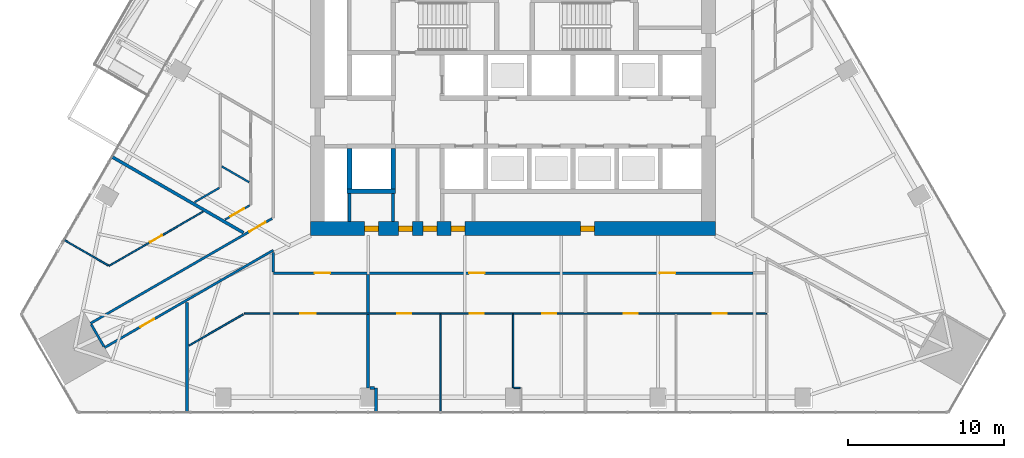
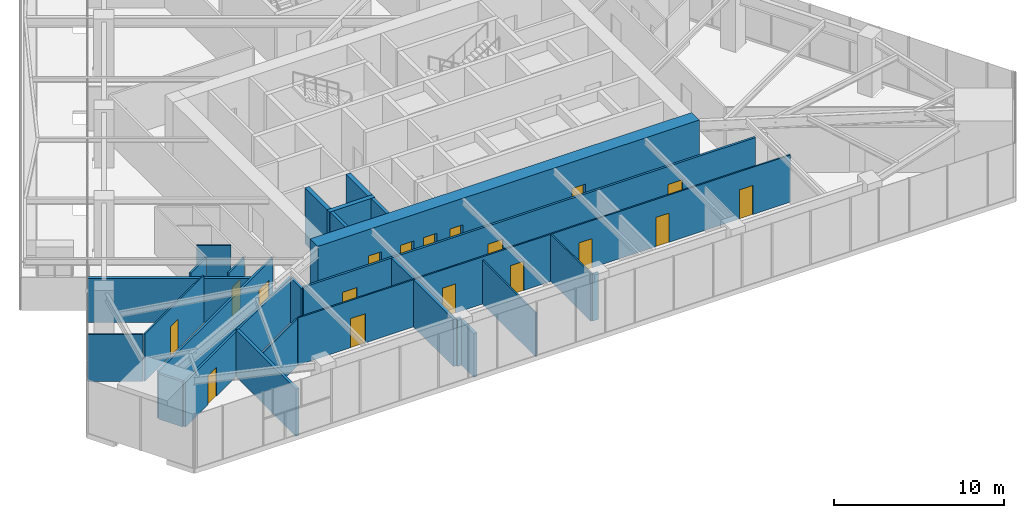
# One storey, part 18 of 26: 27 walls, 18 doors, 18 openings.
"""IFC4 building model written with IfcOpenShell, lengths in metres."""

from ifc_helpers import new_model, si_unit, direction, frame, frame_2d, origin, place, context, subcontext, project, spatial, rectangle, extrude, material, layer, layer_set, type_object, element, fill, save


model = new_model("IFC4")

# Units and contexts
model_context = context("Model", 3, precision=1e-05, world=origin(), true_north=direction((0.0, 1.0)))
body_context = subcontext(model_context, "Body", "Model", "MODEL_VIEW")
ifc_project = project(units=[si_unit("LENGTHUNIT", "METRE"), si_unit("AREAUNIT", "SQUARE_METRE"), si_unit("VOLUMEUNIT", "CUBIC_METRE"), si_unit("PLANEANGLEUNIT", "RADIAN"), si_unit("MASSUNIT", "GRAM", prefix="KILO")], contexts=[model_context])

# Site, building, storey
site_placement = place(None, origin())
site = spatial("IfcSite", under=ifc_project, at=site_placement, CompositionType="ELEMENT")
building_placement = place(site_placement, origin())
building = spatial("IfcBuilding", under=site, at=building_placement, Name="Firuza Gate Tower and Library", CompositionType="ELEMENT")
storey_placement = place(building_placement, frame((0.0, 0.0, 115.60009765625)))
storey = spatial("IfcBuildingStorey", under=building, at=storey_placement, Name="L26", CompositionType="ELEMENT", Elevation=115.60009765625)

# Walls
ifc_material_1 = material(Name="Plasterboard on steel studs", Category="steel")
ifc_layer_1 = layer(ifc_material_1, 0.199951171875)
ifc_layer_set_1 = layer_set([ifc_layer_1], Name="Core partition 200 EI 120")
wall_type_1 = type_object("IfcWallType", Name="Core partition 200 EI 120", PredefinedType="PARTITIONING", material=ifc_layer_set_1)
for number, where, z_axis, x_axis, name in (
    (1, (64.5, 66.89990234375, 0.0), (0.0, 0.0, 1.0), (0.0, 1.0, 0.0), "Core partition L26 5"),
    (2, (67.300048828125, 66.89990234375, 0.0), (0.0, 0.0, 1.0), (0.0, 1.0, 0.0), "Core partition L26 7"),
):
    element("IfcWall", number, at=place(storey_placement, frame(where, z_axis=z_axis, x_axis=x_axis)), inside=storey, type_object=wall_type_1, Name=name, PredefinedType="PARTITIONING", context=body_context, shape_type="SweptSolid", body=[
        extrude(rectangle(XDim=1.800048828125, YDim=0.199951171875, at=frame_2d((0.89990234375, 0.0))), origin(), (0.0, 0.0, 1.0), 4.0),
    ])
ifc_material_2 = material(Name="Concrete C80/95", Category="concrete")
ifc_layer_2 = layer(ifc_material_2, 0.300048828125)
ifc_layer_set_2 = layer_set([ifc_layer_2], Name="Core wall 300 C80/95")
wall_type_2 = type_object("IfcWallType", Name="Core wall 300 C80/95", PredefinedType="SHEAR", material=ifc_layer_set_2)
wall_1_placement = place(storey_placement, frame((64.35009765625, 68.85009765625, 0.0), z_axis=(0.0, 0.0, 1.0), x_axis=(1.0, 0.0, 0.0)))
element("IfcWall", 3, at=wall_1_placement, inside=storey, type_object=wall_type_2, Name="Core wall L26 5", PredefinedType="SHEAR", context=body_context, shape_type="SweptSolid", body=[
    extrude(rectangle(XDim=3.099853515625, YDim=0.300048828125, at=frame_2d((1.5498046875, 0.0))), origin(), (0.0, 0.0, 1.0), 4.0),
])
for number, where, z_axis, x_axis, name in (
    (4, (64.5, 69.0, 0.0), (0.0, 0.0, 1.0), (0.0, 1.0, 0.0), "Core wall L26 11"),
    (5, (67.300048828125, 69.0, 0.0), (0.0, 0.0, 1.0), (0.0, 1.0, 0.0), "Core wall L26 13"),
):
    element("IfcWall", number, at=place(storey_placement, frame(where, z_axis=z_axis, x_axis=x_axis)), inside=storey, type_object=wall_type_2, Name=name, PredefinedType="SHEAR", context=body_context, shape_type="SweptSolid", body=[
        extrude(rectangle(XDim=2.60009765625, YDim=0.300048828125, at=frame_2d((1.300048828125, 0.0))), origin(), (0.0, 0.0, 1.0), 4.0),
    ])

# Wall, openings, doors
ifc_material_3 = material(Name="Concrete C80/95", Category="concrete")
ifc_layer_3 = layer(ifc_material_3, 0.89990234375)
ifc_layer_set_3 = layer_set([ifc_layer_3], Name="Core wall 900 C80/95")
wall_type_3 = type_object("IfcWallType", Name="Core wall 900 C80/95", PredefinedType="SHEAR", material=ifc_layer_set_3)
wall_2_placement = place(storey_placement, frame((62.0, 66.449951171875, 0.0), z_axis=(0.0, 0.0, 1.0), x_axis=(1.0, 0.0, 0.0)))
wall_2 = element("IfcWall", 6, at=wall_2_placement, inside=storey, type_object=wall_type_3, Name="Core wall L26 1", PredefinedType="SHEAR", context=body_context, shape_type="SweptSolid", body=[
    extrude(rectangle(XDim=26.0, YDim=0.89990234375, at=frame_2d((13.0, 0.0))), origin(), (0.0, 0.0, 1.0), 4.0),
])
opening_1_placement = place(wall_2_placement, frame((3.449951171875, 0.0, 0.0)))
opening_1 = element("IfcOpeningElement", 7, at=opening_1_placement, cuts=wall_2, Name="Opening L26-K24", PredefinedType="OPENING", context=body_context, shape_type="SweptSolid", body=[
    extrude(rectangle(XDim=0.89990234375, YDim=2.10009765625, at=frame_2d((0.449951171875, 1.050048828125))), frame((0.0, 0.4599609375, 0.0), z_axis=(0.0, -1.0, 0.0), x_axis=(1.0, 0.0, 0.0)), (0.0, 0.0, 1.0), 0.919921875),
])
opening_2_placement = place(wall_2_placement, frame((5.637451171875, 0.0, 0.0)))
opening_2 = element("IfcOpeningElement", 8, at=opening_2_placement, cuts=wall_2, Name="Opening L26-K25", PredefinedType="OPENING", context=body_context, shape_type="SweptSolid", body=[
    extrude(rectangle(XDim=0.89990234375, YDim=2.10009765625, at=frame_2d((0.449951171875, 1.050048828125))), frame((0.0, 0.4599609375, 0.0), z_axis=(0.0, -1.0, 0.0), x_axis=(1.0, 0.0, 0.0)), (0.0, 0.0, 1.0), 0.919921875),
])
opening_3_placement = place(wall_2_placement, frame((7.21240234375, 0.0, 0.0)))
opening_3 = element("IfcOpeningElement", 9, at=opening_3_placement, cuts=wall_2, Name="Opening L26-K26", PredefinedType="OPENING", context=body_context, shape_type="SweptSolid", body=[
    extrude(rectangle(XDim=0.89990234375, YDim=2.10009765625, at=frame_2d((0.449951171875, 1.050048828125))), frame((0.0, 0.4599609375, 0.0), z_axis=(0.0, -1.0, 0.0), x_axis=(1.0, 0.0, 0.0)), (0.0, 0.0, 1.0), 0.919921875),
])
opening_4_placement = place(wall_2_placement, frame((8.9990234375, 0.0, 0.0)))
opening_4 = element("IfcOpeningElement", 10, at=opening_4_placement, cuts=wall_2, Name="Opening L26-K27", PredefinedType="OPENING", context=body_context, shape_type="SweptSolid", body=[
    extrude(rectangle(XDim=0.89990234375, YDim=2.10009765625, at=frame_2d((0.449951171875, 1.050048828125))), frame((0.0, 0.4599609375, 0.0), z_axis=(0.0, -1.0, 0.0), x_axis=(1.0, 0.0, 0.0)), (0.0, 0.0, 1.0), 0.919921875),
])
opening_5_placement = place(wall_2_placement, frame((17.323974609375, 0.0, 0.0)))
opening_5 = element("IfcOpeningElement", 11, at=opening_5_placement, cuts=wall_2, Name="Opening L26-K28", PredefinedType="OPENING", context=body_context, shape_type="SweptSolid", body=[
    extrude(rectangle(XDim=0.89990234375, YDim=2.10009765625, at=frame_2d((0.449951171875, 1.050048828125))), frame((0.0, 0.4599609375, 0.0), z_axis=(0.0, -1.0, 0.0), x_axis=(1.0, 0.0, 0.0)), (0.0, 0.0, 1.0), 0.919921875),
])
ifc_material_4 = material(Name="Steel", Category="steel")
door_type_1 = type_object("IfcDoorType", Name="Fire door 900x2100 FD30S", OperationType="NOTDEFINED", PredefinedType="DOOR", material=ifc_material_4)
door_1_placement = place(opening_1_placement, origin())
door_1 = element("IfcDoor", 12, at=door_1_placement, inside=storey, type_object=door_type_1, Name="Door L26-K24", OperationType="SINGLE_SWING_LEFT", OverallHeight=2.10009765625, OverallWidth=0.89990234375, PredefinedType="DOOR", context=body_context, shape_type="SweptSolid", body=[
    extrude(rectangle(XDim=0.89990234375, YDim=2.10009765625, at=frame_2d((0.449951171875, 1.050048828125))), frame((0.0, 0.169921875, 0.0), z_axis=(0.0, -1.0, 0.0), x_axis=(1.0, 0.0, 0.0)), (0.0, 0.0, 1.0), 0.33984375),
])
fill(opening_1, door_1)
door_2_placement = place(opening_2_placement, origin())
door_2 = element("IfcDoor", 13, at=door_2_placement, inside=storey, type_object=door_type_1, Name="Door L26-K25", OperationType="SINGLE_SWING_RIGHT", OverallHeight=2.10009765625, OverallWidth=0.89990234375, PredefinedType="DOOR", context=body_context, shape_type="SweptSolid", body=[
    extrude(rectangle(XDim=0.89990234375, YDim=2.10009765625, at=frame_2d((0.449951171875, 1.050048828125))), frame((0.0, 0.169921875, 0.0), z_axis=(0.0, -1.0, 0.0), x_axis=(1.0, 0.0, 0.0)), (0.0, 0.0, 1.0), 0.33984375),
])
fill(opening_2, door_2)
door_3_placement = place(opening_3_placement, origin())
door_3 = element("IfcDoor", 14, at=door_3_placement, inside=storey, type_object=door_type_1, Name="Door L26-K26", OperationType="SINGLE_SWING_LEFT", OverallHeight=2.10009765625, OverallWidth=0.89990234375, PredefinedType="DOOR", context=body_context, shape_type="SweptSolid", body=[
    extrude(rectangle(XDim=0.89990234375, YDim=2.10009765625, at=frame_2d((0.449951171875, 1.050048828125))), frame((0.0, 0.169921875, 0.0), z_axis=(0.0, -1.0, 0.0), x_axis=(1.0, 0.0, 0.0)), (0.0, 0.0, 1.0), 0.33984375),
])
fill(opening_3, door_3)
door_4_placement = place(opening_4_placement, origin())
door_4 = element("IfcDoor", 15, at=door_4_placement, inside=storey, type_object=door_type_1, Name="Door L26-K27", OperationType="SINGLE_SWING_RIGHT", OverallHeight=2.10009765625, OverallWidth=0.89990234375, PredefinedType="DOOR", context=body_context, shape_type="SweptSolid", body=[
    extrude(rectangle(XDim=0.89990234375, YDim=2.10009765625, at=frame_2d((0.449951171875, 1.050048828125))), frame((0.0, 0.169921875, 0.0), z_axis=(0.0, -1.0, 0.0), x_axis=(1.0, 0.0, 0.0)), (0.0, 0.0, 1.0), 0.33984375),
])
fill(opening_4, door_4)
door_5_placement = place(opening_5_placement, origin())
door_5 = element("IfcDoor", 16, at=door_5_placement, inside=storey, type_object=door_type_1, Name="Door L26-K28", OperationType="SINGLE_SWING_LEFT", OverallHeight=2.10009765625, OverallWidth=0.89990234375, PredefinedType="DOOR", context=body_context, shape_type="SweptSolid", body=[
    extrude(rectangle(XDim=0.89990234375, YDim=2.10009765625, at=frame_2d((0.449951171875, 1.050048828125))), frame((0.0, 0.169921875, 0.0), z_axis=(0.0, -1.0, 0.0), x_axis=(1.0, 0.0, 0.0)), (0.0, 0.0, 1.0), 0.33984375),
])
fill(opening_5, door_5)

ifc_material_5 = material(Name="Gypsum board partition")
ifc_layer_4 = layer(ifc_material_5, 0.14990234375)
ifc_layer_set_4 = layer_set([ifc_layer_4], Name="Corridor wall 150 double board on steel studs")
wall_type_4 = type_object("IfcWallType", Name="Corridor wall 150 double board on steel studs", PredefinedType="PARTITIONING", material=ifc_layer_set_4)
wall_3_placement = place(storey_placement, frame((90.3994140625, 63.60009765625, 0.0), z_axis=(0.0, 0.0, 1.0), x_axis=(-1.0, 0.0, 0.0)))
wall_3 = element("IfcWall", 17, at=wall_3_placement, inside=storey, type_object=wall_type_4, Name="f:L26:w003", PredefinedType="PARTITIONING", context=body_context, shape_type="SweptSolid", body=[
    extrude(rectangle(XDim=30.79931640625, YDim=0.14990234375, at=frame_2d((15.399658203125, 0.0))), origin(), (0.0, 0.0, 1.0), 3.39990234375),
])
opening_6_placement = place(wall_3_placement, frame((4.97509765625, 0.0, 0.0)))
opening_6 = element("IfcOpeningElement", 18, at=opening_6_placement, cuts=wall_3, Name="Opening L26-07", PredefinedType="OPENING", context=body_context, shape_type="SweptSolid", body=[
    extrude(rectangle(XDim=1.0, YDim=2.10009765625, at=frame_2d((0.5, 1.050048828125))), frame((0.0, 0.0849609375, 0.0), z_axis=(0.0, -1.0, 0.0), x_axis=(1.0, 0.0, 0.0)), (0.0, 0.0, 1.0), 0.169921875),
])
opening_7_placement = place(wall_3_placement, frame((17.225830078125, 0.0, 0.0)))
opening_7 = element("IfcOpeningElement", 19, at=opening_7_placement, cuts=wall_3, Name="Opening L26-08", PredefinedType="OPENING", context=body_context, shape_type="SweptSolid", body=[
    extrude(rectangle(XDim=1.0, YDim=2.10009765625, at=frame_2d((0.5, 1.050048828125))), frame((0.0, 0.0849609375, 0.0), z_axis=(0.0, -1.0, 0.0), x_axis=(1.0, 0.0, 0.0)), (0.0, 0.0, 1.0), 0.169921875),
])
opening_8_placement = place(wall_3_placement, frame((27.150634765625, 0.0, 0.0)))
opening_8 = element("IfcOpeningElement", 20, at=opening_8_placement, cuts=wall_3, Name="Opening L26-09", PredefinedType="OPENING", context=body_context, shape_type="SweptSolid", body=[
    extrude(rectangle(XDim=1.0, YDim=2.10009765625, at=frame_2d((0.5, 1.050048828125))), frame((0.0, 0.0849609375, 0.0), z_axis=(0.0, -1.0, 0.0), x_axis=(1.0, 0.0, 0.0)), (0.0, 0.0, 1.0), 0.169921875),
])
ifc_material_6 = material(Name="Steel door and timber leaf", Category="steel")
door_type_2 = type_object("IfcDoorType", Name="Fire door 1000 x 2100 steel frame, timber leaf", OperationType="NOTDEFINED", PredefinedType="DOOR", material=ifc_material_6)
door_6_placement = place(opening_6_placement, origin())
door_6 = element("IfcDoor", 21, at=door_6_placement, inside=storey, type_object=door_type_2, Name="f:L26:d007", OperationType="SINGLE_SWING_RIGHT", OverallHeight=2.10009765625, OverallWidth=1.0, PredefinedType="DOOR", context=body_context, shape_type="SweptSolid", body=[
    extrude(rectangle(XDim=1.0, YDim=2.10009765625, at=frame_2d((0.5, 1.050048828125))), frame((0.0, 0.02490234375, 0.0), z_axis=(0.0, -1.0, 0.0), x_axis=(1.0, 0.0, 0.0)), (0.0, 0.0, 1.0), 0.050048828125),
])
fill(opening_6, door_6)
door_7_placement = place(opening_7_placement, origin())
door_7 = element("IfcDoor", 22, at=door_7_placement, inside=storey, type_object=door_type_2, Name="f:L26:d008", OperationType="SINGLE_SWING_RIGHT", OverallHeight=2.10009765625, OverallWidth=1.0, PredefinedType="DOOR", context=body_context, shape_type="SweptSolid", body=[
    extrude(rectangle(XDim=1.0, YDim=2.10009765625, at=frame_2d((0.5, 1.050048828125))), frame((0.0, 0.02490234375, 0.0), z_axis=(0.0, -1.0, 0.0), x_axis=(1.0, 0.0, 0.0)), (0.0, 0.0, 1.0), 0.050048828125),
])
fill(opening_7, door_7)
door_8_placement = place(opening_8_placement, origin())
door_8 = element("IfcDoor", 23, at=door_8_placement, inside=storey, type_object=door_type_2, Name="f:L26:d009", OperationType="SINGLE_SWING_LEFT", OverallHeight=2.10009765625, OverallWidth=1.0, PredefinedType="DOOR", context=body_context, shape_type="SweptSolid", body=[
    extrude(rectangle(XDim=1.0, YDim=2.10009765625, at=frame_2d((0.5, 1.050048828125))), frame((0.0, 0.02490234375, 0.0), z_axis=(0.0, -1.0, 0.0), x_axis=(1.0, 0.0, 0.0)), (0.0, 0.0, 1.0), 0.050048828125),
])
fill(opening_8, door_8)

# Wall, opening, door
wall_4_placement = place(storey_placement, frame((48.766357421875, 58.81494140625, 0.0), z_axis=(0.0, 0.0, 1.0), x_axis=(0.866028284225, 0.499995010897, 0.0)))
wall_4 = element("IfcWall", 24, at=wall_4_placement, inside=storey, type_object=wall_type_4, Name="f:L26:w014", PredefinedType="PARTITIONING", context=body_context, shape_type="SweptSolid", body=[
    extrude(rectangle(XDim=12.509521484375, YDim=0.14990234375, at=frame_2d((6.2548828125, 0.0))), origin(), (0.0, 0.0, 1.0), 3.246826171875),
])
opening_9_placement = place(wall_4_placement, frame((2.659912109375, 0.0, 0.0)))
opening_9 = element("IfcOpeningElement", 25, at=opening_9_placement, cuts=wall_4, Name="Opening L26-15", PredefinedType="OPENING", context=body_context, shape_type="SweptSolid", body=[
    extrude(rectangle(XDim=1.0, YDim=2.10009765625, at=frame_2d((0.5, 1.050048828125))), frame((0.0, 0.0849609375, 0.0), z_axis=(0.0, -1.0, 0.0), x_axis=(1.0, 0.0, 0.0)), (0.0, 0.0, 1.0), 0.169921875),
])
door_9_placement = place(opening_9_placement, origin())
door_9 = element("IfcDoor", 26, at=door_9_placement, inside=storey, type_object=door_type_2, Name="f:L26:d015", OperationType="SINGLE_SWING_RIGHT", OverallHeight=2.10009765625, OverallWidth=1.0, PredefinedType="DOOR", context=body_context, shape_type="SweptSolid", body=[
    extrude(rectangle(XDim=1.0, YDim=2.10009765625, at=frame_2d((0.5, 1.050048828125))), frame((0.0, 0.02490234375, 0.0), z_axis=(0.0, -1.0, 0.0), x_axis=(1.0, 0.0, 0.0)), (0.0, 0.0, 1.0), 0.050048828125),
])
fill(opening_9, door_9)

wall_5_placement = place(storey_placement, frame((47.8662109375, 60.373779296875, 0.0), z_axis=(0.0, 0.0, 1.0), x_axis=(0.866031566243, 0.499989326157, 0.0)))
wall_5 = element("IfcWall", 27, at=wall_5_placement, inside=storey, type_object=wall_type_4, Name="f:L26:w017", PredefinedType="PARTITIONING", context=body_context, shape_type="SweptSolid", body=[
    extrude(rectangle(XDim=13.462158203125, YDim=0.14990234375, at=frame_2d((6.73095703125, 0.0))), origin(), (0.0, 0.0, 1.0), 3.39990234375),
])
opening_10_placement = place(wall_5_placement, frame((11.77392578125, 0.0, 0.0)))
opening_10 = element("IfcOpeningElement", 28, at=opening_10_placement, cuts=wall_5, Name="Opening L26-16", PredefinedType="OPENING", context=body_context, shape_type="SweptSolid", body=[
    extrude(rectangle(XDim=1.199951171875, YDim=2.10009765625, at=frame_2d((0.60009765625, 1.050048828125))), frame((0.0, 0.0849609375, 0.0), z_axis=(0.0, -1.0, 0.0), x_axis=(1.0, 0.0, 0.0)), (0.0, 0.0, 1.0), 0.169921875),
])
ifc_material_7 = material(Name="Steel door and timber leaf", Category="steel")
door_type_3 = type_object("IfcDoorType", Name="Fire door 1200 x 2100 steel frame, double leaf", OperationType="NOTDEFINED", PredefinedType="DOOR", material=ifc_material_7)
door_10_placement = place(opening_10_placement, origin())
door_10 = element("IfcDoor", 29, at=door_10_placement, inside=storey, type_object=door_type_3, Name="f:L26:d016", OperationType="DOUBLE_DOOR_SINGLE_SWING", OverallHeight=2.10009765625, OverallWidth=1.199951171875, PredefinedType="DOOR", context=body_context, shape_type="SweptSolid", body=[
    extrude(rectangle(XDim=1.199951171875, YDim=2.10009765625, at=frame_2d((0.60009765625, 1.050048828125))), frame((0.0, 0.02490234375, 0.0), z_axis=(0.0, -1.0, 0.0), x_axis=(1.0, 0.0, 0.0)), (0.0, 0.0, 1.0), 0.050048828125),
])
fill(opening_10, door_10)

# Walls
wall_6_placement = place(storey_placement, frame((59.60009765625, 63.675048828125, 0.0), z_axis=(0.0, 0.0, 1.0), x_axis=(0.0, 1.0, 0.0)))
element("IfcWall", 30, at=wall_6_placement, inside=storey, type_object=wall_type_4, Name="f:L26:w042", PredefinedType="PARTITIONING", context=body_context, shape_type="SweptSolid", body=[
    extrude(rectangle(XDim=1.2578125, YDim=0.14990234375, at=frame_2d((0.62890625, 0.0))), origin(), (0.0, 0.0, 1.0), 3.246826171875),
])
wall_7_placement = place(storey_placement, frame((48.728271484375, 58.880126953125, 0.0), z_axis=(0.0, 0.0, 1.0), x_axis=(-0.500008692254, 0.866020385251, 0.0)))
element("IfcWall", 31, at=wall_7_placement, inside=storey, type_object=wall_type_4, Name="f:L26:w050", PredefinedType="PARTITIONING", context=body_context, shape_type="SweptSolid", body=[
    extrude(rectangle(XDim=1.64892578125, YDim=0.14990234375, at=frame_2d((0.824462890625, 0.0))), origin(), (0.0, 0.0, 1.0), 3.246826171875),
])
ifc_material_8 = material(Name="Gypsum board partition")
ifc_layer_5 = layer(ifc_material_8, 0.199951171875)
ifc_layer_set_5 = layer_set([ifc_layer_5], Name="Demising wall 200 acoustic double stud")
wall_type_5 = type_object("IfcWallType", Name="Demising wall 200 acoustic double stud", PredefinedType="PARTITIONING", material=ifc_layer_set_5)
wall_8_placement = place(storey_placement, frame((65.804931640625, 56.22607421875, 0.0), z_axis=(0.0, 0.0, 1.0), x_axis=(1.0, 0.0, 0.0)))
element("IfcWall", 32, at=wall_8_placement, inside=storey, type_object=wall_type_5, Name="f:L26:w000", PredefinedType="PARTITIONING", context=body_context, shape_type="SweptSolid", body=[
    extrude(rectangle(XDim=0.2900390625, YDim=0.199951171875, at=frame_2d((0.14501953125, 0.0))), origin(), (0.0, 0.0, 1.0), 3.39990234375),
])
wall_9_placement = place(storey_placement, frame((66.195068359375, 54.666259765625, 0.0), z_axis=(0.0, 0.0, 1.0), x_axis=(0.0, 1.0, 0.0)))
element("IfcWall", 33, at=wall_9_placement, inside=storey, type_object=wall_type_5, Name="f:L26:w040", PredefinedType="PARTITIONING", context=body_context, shape_type="SweptSolid", body=[
    extrude(rectangle(XDim=1.56005859375, YDim=0.199951171875, at=frame_2d((0.780029296875, 0.0))), origin(), (0.0, 0.0, 1.0), 3.164794921875),
])
wall_10_placement = place(storey_placement, frame((65.695068359375, 56.226318359375, 0.0), z_axis=(0.0, 0.0, 1.0), x_axis=(0.0, 1.0, 0.0)))
element("IfcWall", 34, at=wall_10_placement, inside=storey, type_object=wall_type_5, Name="f:L26:w041", PredefinedType="PARTITIONING", context=body_context, shape_type="SweptSolid", body=[
    extrude(rectangle(XDim=4.7236328125, YDim=0.199951171875, at=frame_2d((2.36181640625, 0.0))), origin(), (0.0, 0.0, 1.0), 3.39990234375),
])
wall_11_placement = place(storey_placement, frame((54.06396484375, 54.666259765625, 0.0), z_axis=(0.0, 0.0, 1.0), x_axis=(0.0, 1.0, 0.0)))
element("IfcWall", 35, at=wall_11_placement, inside=storey, type_object=wall_type_5, Name="f:L26:w046", PredefinedType="PARTITIONING", context=body_context, shape_type="SweptSolid", body=[
    extrude(rectangle(XDim=7.060302734375, YDim=0.199951171875, at=frame_2d((3.5302734375, 0.0))), origin(), (0.0, 0.0, 1.0), 3.39990234375),
])
wall_12_placement = place(storey_placement, frame((57.689208984375, 66.19140625, 0.0), z_axis=(0.0, 0.0, 1.0), x_axis=(-0.866022484486, 0.500005056339, 0.0)))
element("IfcWall", 36, at=wall_12_placement, inside=storey, type_object=wall_type_5, Name="f:L26:w059", PredefinedType="PARTITIONING", context=body_context, shape_type="SweptSolid", body=[
    extrude(rectangle(XDim=9.74658203125, YDim=0.199951171875, at=frame_2d((4.873291015625, 0.0))), origin(), (0.0, 0.0, 1.0), 3.164794921875),
])
wall_13_placement = place(storey_placement, frame((65.695068359375, 61.050048828125, 0.0), z_axis=(0.0, 0.0, 1.0), x_axis=(0.0, 1.0, 0.0)))
element("IfcWall", 37, at=wall_13_placement, inside=storey, type_object=wall_type_5, Name="f:L26:w068", PredefinedType="PARTITIONING", context=body_context, shape_type="SweptSolid", body=[
    extrude(rectangle(XDim=2.474853515625, YDim=0.199951171875, at=frame_2d((1.2373046875, 0.0))), origin(), (0.0, 0.0, 1.0), 3.39990234375),
])
ifc_material_9 = material(Name="Gypsum board partition")
ifc_layer_6 = layer(ifc_material_9, 0.10009765625)
ifc_layer_set_6 = layer_set([ifc_layer_6], Name="Partition 100 gypsum board on steel studs")
wall_type_6 = type_object("IfcWallType", Name="Partition 100 gypsum board on steel studs", PredefinedType="PARTITIONING", material=ifc_layer_set_6)
wall_14_placement = place(storey_placement, frame((75.050048828125, 56.22607421875, 0.0), z_axis=(0.0, 0.0, 1.0), x_axis=(1.0, 0.0, 0.0)))
element("IfcWall", 38, at=wall_14_placement, inside=storey, type_object=wall_type_6, Name="f:L26:w001", PredefinedType="PARTITIONING", context=body_context, shape_type="SweptSolid", body=[
    extrude(rectangle(XDim=0.39990234375, YDim=0.10009765625, at=frame_2d((0.199951171875, 0.0))), origin(), (0.0, 0.0, 1.0), 3.39990234375),
])

# Wall, openings, doors
wall_15_placement = place(storey_placement, frame((57.751220703125, 61.0, 0.0), z_axis=(0.0, 0.0, 1.0), x_axis=(1.0, 0.0, 0.0)))
wall_15 = element("IfcWall", 39, at=wall_15_placement, inside=storey, type_object=wall_type_6, Name="f:L26:w002", PredefinedType="PARTITIONING", context=body_context, shape_type="SweptSolid", body=[
    extrude(rectangle(XDim=33.53271484375, YDim=0.10009765625, at=frame_2d((16.766357421875, 0.0))), origin(), (0.0, 0.0, 1.0), 3.39990234375),
])
opening_11_placement = place(wall_15_placement, frame((3.57177734375, 0.0, 0.0)))
opening_11 = element("IfcOpeningElement", 40, at=opening_11_placement, cuts=wall_15, Name="Opening L26-01", PredefinedType="OPENING", context=body_context, shape_type="SweptSolid", body=[
    extrude(rectangle(XDim=1.0, YDim=2.10009765625, at=frame_2d((0.5, 1.050048828125))), frame((0.0, 0.06005859375, 0.0), z_axis=(0.0, -1.0, 0.0), x_axis=(1.0, 0.0, 0.0)), (0.0, 0.0, 1.0), 0.1201171875),
])
opening_12_placement = place(wall_15_placement, frame((9.821533203125, 0.0, 0.0)))
opening_12 = element("IfcOpeningElement", 41, at=opening_12_placement, cuts=wall_15, Name="Opening L26-02", PredefinedType="OPENING", context=body_context, shape_type="SweptSolid", body=[
    extrude(rectangle(XDim=0.89990234375, YDim=2.10009765625, at=frame_2d((0.449951171875, 1.050048828125))), frame((0.0, 0.06005859375, 0.0), z_axis=(0.0, -1.0, 0.0), x_axis=(1.0, 0.0, 0.0)), (0.0, 0.0, 1.0), 0.1201171875),
])
opening_13_placement = place(wall_15_placement, frame((14.472412109375, 0.0, 0.0)))
opening_13 = element("IfcOpeningElement", 42, at=opening_13_placement, cuts=wall_15, Name="Opening L26-03", PredefinedType="OPENING", context=body_context, shape_type="SweptSolid", body=[
    extrude(rectangle(XDim=0.89990234375, YDim=2.10009765625, at=frame_2d((0.449951171875, 1.050048828125))), frame((0.0, 0.06005859375, 0.0), z_axis=(0.0, -1.0, 0.0), x_axis=(1.0, 0.0, 0.0)), (0.0, 0.0, 1.0), 0.1201171875),
])
opening_14_placement = place(wall_15_placement, frame((19.12353515625, 0.0, 0.0)))
opening_14 = element("IfcOpeningElement", 43, at=opening_14_placement, cuts=wall_15, Name="Opening L26-04", PredefinedType="OPENING", context=body_context, shape_type="SweptSolid", body=[
    extrude(rectangle(XDim=0.89990234375, YDim=2.10009765625, at=frame_2d((0.449951171875, 1.050048828125))), frame((0.0, 0.06005859375, 0.0), z_axis=(0.0, -1.0, 0.0), x_axis=(1.0, 0.0, 0.0)), (0.0, 0.0, 1.0), 0.1201171875),
])
opening_15_placement = place(wall_15_placement, frame((24.360595703125, 0.0, 0.0)))
opening_15 = element("IfcOpeningElement", 44, at=opening_15_placement, cuts=wall_15, Name="Opening L26-05", PredefinedType="OPENING", context=body_context, shape_type="SweptSolid", body=[
    extrude(rectangle(XDim=0.89990234375, YDim=2.10009765625, at=frame_2d((0.449951171875, 1.050048828125))), frame((0.0, 0.06005859375, 0.0), z_axis=(0.0, -1.0, 0.0), x_axis=(1.0, 0.0, 0.0)), (0.0, 0.0, 1.0), 0.1201171875),
])
opening_16_placement = place(wall_15_placement, frame((30.0732421875, 0.0, 0.0)))
opening_16 = element("IfcOpeningElement", 45, at=opening_16_placement, cuts=wall_15, Name="Opening L26-06", PredefinedType="OPENING", context=body_context, shape_type="SweptSolid", body=[
    extrude(rectangle(XDim=0.89990234375, YDim=2.10009765625, at=frame_2d((0.449951171875, 1.050048828125))), frame((0.0, 0.06005859375, 0.0), z_axis=(0.0, -1.0, 0.0), x_axis=(1.0, 0.0, 0.0)), (0.0, 0.0, 1.0), 0.1201171875),
])
ifc_material_10 = material(Name="Timber door", Category="wood")
door_type_4 = type_object("IfcDoorType", Name="Door 1000 x 2100 timber leaf", OperationType="NOTDEFINED", PredefinedType="DOOR", material=ifc_material_10)
door_11_placement = place(opening_11_placement, origin())
door_11 = element("IfcDoor", 46, at=door_11_placement, inside=storey, type_object=door_type_4, Name="f:L26:d001", OperationType="SINGLE_SWING_LEFT", OverallHeight=2.10009765625, OverallWidth=1.0, PredefinedType="DOOR", context=body_context, shape_type="SweptSolid", body=[
    extrude(rectangle(XDim=1.0, YDim=2.10009765625, at=frame_2d((0.5, 1.050048828125))), frame((0.0, 0.02490234375, 0.0), z_axis=(0.0, -1.0, 0.0), x_axis=(1.0, 0.0, 0.0)), (0.0, 0.0, 1.0), 0.050048828125),
])
fill(opening_11, door_11)
ifc_material_11 = material(Name="Timber door", Category="wood")
door_type_5 = type_object("IfcDoorType", Name="Door 900 x 2100 timber leaf", OperationType="NOTDEFINED", PredefinedType="DOOR", material=ifc_material_11)
door_12_placement = place(opening_12_placement, origin())
door_12 = element("IfcDoor", 47, at=door_12_placement, inside=storey, type_object=door_type_5, Name="f:L26:d002", OperationType="SINGLE_SWING_RIGHT", OverallHeight=2.10009765625, OverallWidth=0.89990234375, PredefinedType="DOOR", context=body_context, shape_type="SweptSolid", body=[
    extrude(rectangle(XDim=0.89990234375, YDim=2.10009765625, at=frame_2d((0.449951171875, 1.050048828125))), frame((0.0, 0.02490234375, 0.0), z_axis=(0.0, -1.0, 0.0), x_axis=(1.0, 0.0, 0.0)), (0.0, 0.0, 1.0), 0.050048828125),
])
fill(opening_12, door_12)
door_13_placement = place(opening_13_placement, origin())
door_13 = element("IfcDoor", 48, at=door_13_placement, inside=storey, type_object=door_type_5, Name="f:L26:d003", OperationType="SINGLE_SWING_LEFT", OverallHeight=2.10009765625, OverallWidth=0.89990234375, PredefinedType="DOOR", context=body_context, shape_type="SweptSolid", body=[
    extrude(rectangle(XDim=0.89990234375, YDim=2.10009765625, at=frame_2d((0.449951171875, 1.050048828125))), frame((0.0, 0.02490234375, 0.0), z_axis=(0.0, -1.0, 0.0), x_axis=(1.0, 0.0, 0.0)), (0.0, 0.0, 1.0), 0.050048828125),
])
fill(opening_13, door_13)
door_14_placement = place(opening_14_placement, origin())
door_14 = element("IfcDoor", 49, at=door_14_placement, inside=storey, type_object=door_type_5, Name="f:L26:d004", OperationType="SINGLE_SWING_RIGHT", OverallHeight=2.10009765625, OverallWidth=0.89990234375, PredefinedType="DOOR", context=body_context, shape_type="SweptSolid", body=[
    extrude(rectangle(XDim=0.89990234375, YDim=2.10009765625, at=frame_2d((0.449951171875, 1.050048828125))), frame((0.0, 0.02490234375, 0.0), z_axis=(0.0, -1.0, 0.0), x_axis=(1.0, 0.0, 0.0)), (0.0, 0.0, 1.0), 0.050048828125),
])
fill(opening_14, door_14)
door_15_placement = place(opening_15_placement, origin())
door_15 = element("IfcDoor", 50, at=door_15_placement, inside=storey, type_object=door_type_5, Name="f:L26:d005", OperationType="SINGLE_SWING_RIGHT", OverallHeight=2.10009765625, OverallWidth=0.89990234375, PredefinedType="DOOR", context=body_context, shape_type="SweptSolid", body=[
    extrude(rectangle(XDim=0.89990234375, YDim=2.10009765625, at=frame_2d((0.449951171875, 1.050048828125))), frame((0.0, 0.02490234375, 0.0), z_axis=(0.0, -1.0, 0.0), x_axis=(1.0, 0.0, 0.0)), (0.0, 0.0, 1.0), 0.050048828125),
])
fill(opening_15, door_15)
door_16_placement = place(opening_16_placement, origin())
door_16 = element("IfcDoor", 51, at=door_16_placement, inside=storey, type_object=door_type_5, Name="f:L26:d006", OperationType="SINGLE_SWING_LEFT", OverallHeight=2.10009765625, OverallWidth=0.89990234375, PredefinedType="DOOR", context=body_context, shape_type="SweptSolid", body=[
    extrude(rectangle(XDim=0.89990234375, YDim=2.10009765625, at=frame_2d((0.449951171875, 1.050048828125))), frame((0.0, 0.02490234375, 0.0), z_axis=(0.0, -1.0, 0.0), x_axis=(1.0, 0.0, 0.0)), (0.0, 0.0, 1.0), 0.050048828125),
])
fill(opening_16, door_16)

# Wall
wall_16_placement = place(storey_placement, frame((54.189453125, 58.94384765625, 0.0), z_axis=(0.0, 0.0, 1.0), x_axis=(0.866025502096, 0.499999829719, 0.0)))
element("IfcWall", 52, at=wall_16_placement, inside=storey, type_object=wall_type_6, Name="f:L26:w012", PredefinedType="PARTITIONING", context=body_context, shape_type="SweptSolid", body=[
    extrude(rectangle(XDim=4.0126953125, YDim=0.10009765625, at=frame_2d((2.00634765625, 0.0))), origin(), (0.0, 0.0, 1.0), 3.39990234375),
])

# Wall, opening, door
wall_17_placement = place(storey_placement, frame((55.090087890625, 67.546630859375, 0.0), z_axis=(0.0, 0.0, 1.0), x_axis=(-0.8660245535, -0.500001472733, 0.0)))
wall_17 = element("IfcWall", 53, at=wall_17_placement, inside=storey, type_object=wall_type_6, Name="f:L26:w019", PredefinedType="PARTITIONING", context=body_context, shape_type="SweptSolid", body=[
    extrude(rectangle(XDim=6.96826171875, YDim=0.10009765625, at=frame_2d((3.484130859375, 0.0))), origin(), (0.0, 0.0, 1.0), 3.39990234375),
])
opening_17_placement = place(wall_17_placement, frame((3.0341796875, 0.0, 0.0)))
opening_17 = element("IfcOpeningElement", 54, at=opening_17_placement, cuts=wall_17, Name="Opening L26-18", PredefinedType="OPENING", context=body_context, shape_type="SweptSolid", body=[
    extrude(rectangle(XDim=0.89990234375, YDim=2.10009765625, at=frame_2d((0.449951171875, 1.050048828125))), frame((0.0, 0.06005859375, 0.0), z_axis=(0.0, -1.0, 0.0), x_axis=(1.0, 0.0, 0.0)), (0.0, 0.0, 1.0), 0.1201171875),
])
door_17_placement = place(opening_17_placement, origin())
door_17 = element("IfcDoor", 55, at=door_17_placement, inside=storey, type_object=door_type_5, Name="f:L26:d018", OperationType="SINGLE_SWING_RIGHT", OverallHeight=2.10009765625, OverallWidth=0.89990234375, PredefinedType="DOOR", context=body_context, shape_type="SweptSolid", body=[
    extrude(rectangle(XDim=0.89990234375, YDim=2.10009765625, at=frame_2d((0.449951171875, 1.050048828125))), frame((0.0, 0.02490234375, 0.0), z_axis=(0.0, -1.0, 0.0), x_axis=(1.0, 0.0, 0.0)), (0.0, 0.0, 1.0), 0.050048828125),
])
fill(opening_17, door_17)

# Walls
wall_18_placement = place(storey_placement, frame((75.0, 56.226318359375, 0.0), z_axis=(0.0, 0.0, 1.0), x_axis=(0.0, 1.0, 0.0)))
element("IfcWall", 56, at=wall_18_placement, inside=storey, type_object=wall_type_6, Name="f:L26:w036", PredefinedType="PARTITIONING", context=body_context, shape_type="SweptSolid", body=[
    extrude(rectangle(XDim=4.7236328125, YDim=0.10009765625, at=frame_2d((2.36181640625, 0.0))), origin(), (0.0, 0.0, 1.0), 3.39990234375),
])
wall_19_placement = place(storey_placement, frame((70.346923828125, 54.666259765625, 0.0), z_axis=(0.0, 0.0, 1.0), x_axis=(0.0, 1.0, 0.0)))
element("IfcWall", 57, at=wall_19_placement, inside=storey, type_object=wall_type_6, Name="f:L26:w038", PredefinedType="PARTITIONING", context=body_context, shape_type="SweptSolid", body=[
    extrude(rectangle(XDim=6.28369140625, YDim=0.10009765625, at=frame_2d((3.141845703125, 0.0))), origin(), (0.0, 0.0, 1.0), 3.164794921875),
])
wall_20_placement = place(storey_placement, frame((49.005126953125, 64.0908203125, 0.0), z_axis=(0.0, 0.0, 1.0), x_axis=(-0.866005637992, 0.500034233794, 0.0)))
element("IfcWall", 58, at=wall_20_placement, inside=storey, type_object=wall_type_6, Name="f:L26:w060", PredefinedType="PARTITIONING", context=body_context, shape_type="SweptSolid", body=[
    extrude(rectangle(XDim=3.276123046875, YDim=0.10009765625, at=frame_2d((1.63818359375, 0.0))), origin(), (0.0, 0.0, 1.0), 3.39990234375),
])

# Wall, opening, door
ifc_material_12 = material(Name="Gypsum board partition")
ifc_layer_7 = layer(ifc_material_12, 0.1201171875)
ifc_layer_set_7 = layer_set([ifc_layer_7], Name="Wet-area partition 120 moisture-resistant board")
wall_type_7 = type_object("IfcWallType", Name="Wet-area partition 120 moisture-resistant board", PredefinedType="PARTITIONING", material=ifc_layer_set_7)
wall_21_placement = place(storey_placement, frame((56.500732421875, 67.033203125, 0.0), z_axis=(0.0, 0.0, 1.0), x_axis=(0.866023842607, 0.500002704028, 0.0)))
wall_21 = element("IfcWall", 59, at=wall_21_placement, inside=storey, type_object=wall_type_7, Name="f:L26:w018", PredefinedType="PARTITIONING", context=body_context, shape_type="SweptSolid", body=[
    extrude(rectangle(XDim=1.8349609375, YDim=0.1201171875, at=frame_2d((0.91748046875, 0.0))), origin(), (0.0, 0.0, 1.0), 3.39990234375),
])
opening_18_placement = place(wall_21_placement, frame((0.41748046875, 0.0, 0.0)))
opening_18 = element("IfcOpeningElement", 60, at=opening_18_placement, cuts=wall_21, Name="Opening L26-17", PredefinedType="OPENING", context=body_context, shape_type="SweptSolid", body=[
    extrude(rectangle(XDim=1.0, YDim=2.10009765625, at=frame_2d((0.5, 1.050048828125))), frame((0.0, 0.070068359375, 0.0), z_axis=(0.0, -1.0, 0.0), x_axis=(1.0, 0.0, 0.0)), (0.0, 0.0, 1.0), 0.14013671875),
])
door_18_placement = place(opening_18_placement, origin())
door_18 = element("IfcDoor", 61, at=door_18_placement, inside=storey, type_object=door_type_4, Name="f:L26:d017", OperationType="SINGLE_SWING_LEFT", OverallHeight=2.10009765625, OverallWidth=1.0, PredefinedType="DOOR", context=body_context, shape_type="SweptSolid", body=[
    extrude(rectangle(XDim=1.0, YDim=2.10009765625, at=frame_2d((0.5, 1.050048828125))), frame((0.0, 0.02490234375, 0.0), z_axis=(0.0, -1.0, 0.0), x_axis=(1.0, 0.0, 0.0)), (0.0, 0.0, 1.0), 0.050048828125),
])
fill(opening_18, door_18)

# Walls
wall_22_placement = place(storey_placement, frame((54.55078125, 68.158935546875, 0.0), z_axis=(0.0, 0.0, 1.0), x_axis=(0.866023842607, 0.500002704028, 0.0)))
element("IfcWall", 62, at=wall_22_placement, inside=storey, type_object=wall_type_7, Name="f:L26:w020", PredefinedType="PARTITIONING", context=body_context, shape_type="SweptSolid", body=[
    extrude(rectangle(XDim=1.8349609375, YDim=0.1201171875, at=frame_2d((0.91748046875, 0.0))), origin(), (0.0, 0.0, 1.0), 3.39990234375),
])
wall_23_placement = place(storey_placement, frame((58.055419921875, 69.43359375, 0.0), z_axis=(0.0, 0.0, 1.0), x_axis=(-0.866017611601, 0.500013496215, 0.0)))
element("IfcWall", 63, at=wall_23_placement, inside=storey, type_object=wall_type_7, Name="f:L26:w058", PredefinedType="PARTITIONING", context=body_context, shape_type="SweptSolid", body=[
    extrude(rectangle(XDim=2.033203125, YDim=0.1201171875, at=frame_2d((1.0166015625, 0.0))), origin(), (0.0, 0.0, 1.0), 3.39990234375),
])

save(model, "model.ifc")
